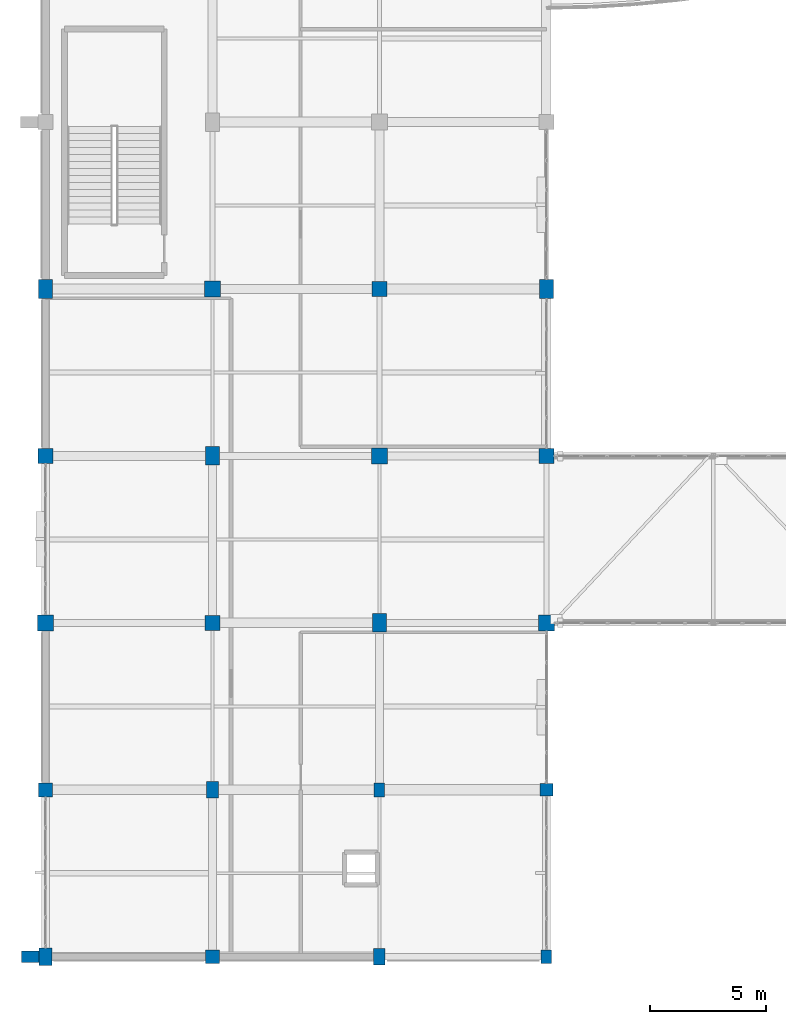
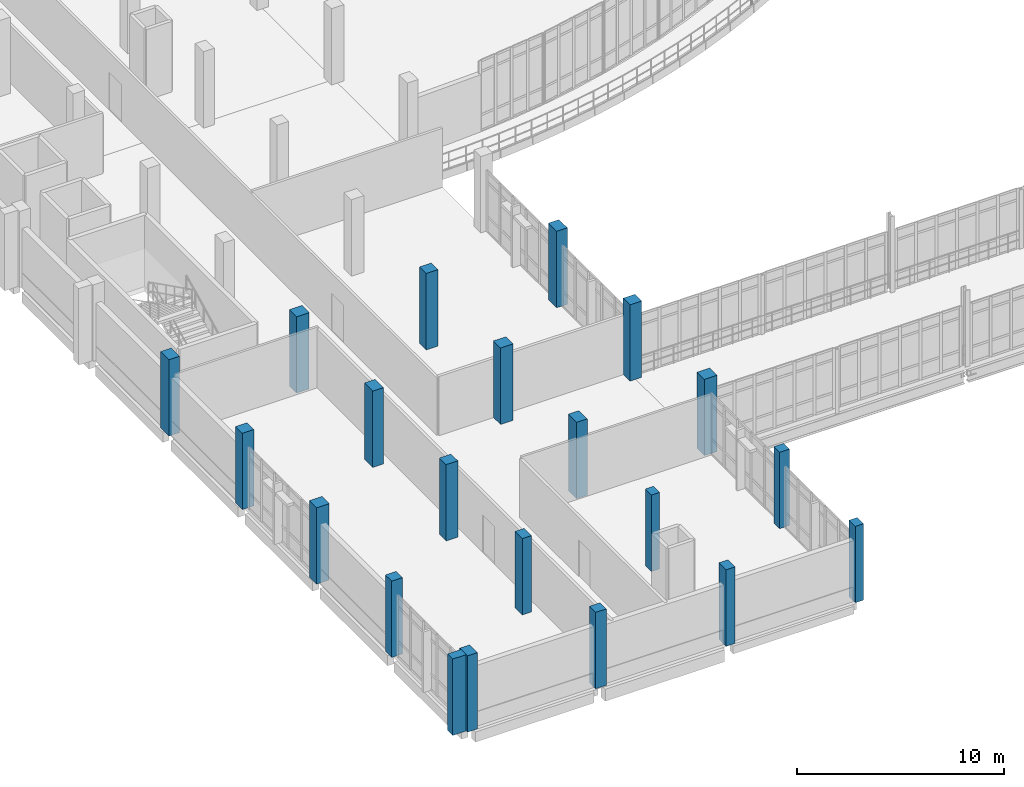
# One storey, part 1 of 116: 21 columns.
"""IFC4 building model written with IfcOpenShell, lengths in metres."""

from ifc_helpers import new_model, si_unit, direction, frame, origin, origin_2d, place, context, subcontext, project, spatial, rectangle, extrude, material, material_profile, profile_set, type_object, element, save


model = new_model("IFC4")

# Units and contexts
model_context = context("Model", 3, precision=1e-05, world=origin(), true_north=direction((0.0, 1.0)))
body_context = subcontext(model_context, "Body", "Model", "MODEL_VIEW")
ifc_project = project(units=[si_unit("LENGTHUNIT", "METRE"), si_unit("AREAUNIT", "SQUARE_METRE"), si_unit("VOLUMEUNIT", "CUBIC_METRE"), si_unit("PLANEANGLEUNIT", "RADIAN"), si_unit("MASSUNIT", "GRAM", prefix="KILO")], contexts=[model_context])

# Site, building, storey
site_placement = place(None, origin())
site = spatial("IfcSite", under=ifc_project, at=site_placement, CompositionType="ELEMENT")
building_placement = place(site_placement, origin())
building = spatial("IfcBuilding", under=site, at=building_placement, Name="Kalluvel Institute of Natural Sciences", CompositionType="ELEMENT")
storey_placement = place(building_placement, frame((0.0, 0.0, 14.39990234375)))
storey = spatial("IfcBuildingStorey", under=building, at=storey_placement, Name="L03", CompositionType="ELEMENT", Elevation=14.39990234375)

# Columns
ifc_material_1 = material(Name="Concrete M40", Category="concrete")
ifc_material_profile_1 = material_profile(ifc_material_1, rectangle(XDim=0.449951171875, YDim=0.60009765625, at=origin_2d()), Name="RC 450x600")
ifc_profile_set_1 = profile_set([ifc_material_profile_1], Name="Concrete M40")
column_type_1 = type_object("IfcColumnType", Name="COL-RC450x600", PredefinedType="COLUMN", material=ifc_profile_set_1)
for number, where, z_axis, x_axis, name in (
    (1, (28.39990234375, 21.199951171875, 0.0), (0.0, 0.0, 1.0), (1.0, 0.0, 0.0), "L03 structural column COL-L03-X284-Y212"),
    (2, (35.60009765625, 14.0, 0.0), (0.0, 0.0, 1.0), (1.0, 0.0, 0.0), "L03 structural column COL-L03-X356-Y140"),
):
    element("IfcColumn", number, at=place(storey_placement, frame(where, z_axis=z_axis, x_axis=x_axis)), inside=storey, type_object=column_type_1, Name=name, PredefinedType="COLUMN", context=body_context, shape_type="SweptSolid", body=[
        extrude(rectangle(XDim=0.449951171875, YDim=0.60009765625, at=origin_2d()), origin(), (0.0, 0.0, 1.0), 4.5),
    ])
ifc_material_profile_2 = material_profile(ifc_material_1, rectangle(XDim=0.5, YDim=0.699951171875, at=origin_2d()), Name="RC 500x700")
ifc_profile_set_2 = profile_set([ifc_material_profile_2], Name="Concrete M40")
column_type_2 = type_object("IfcColumnType", Name="COL-RC500x700", PredefinedType="COLUMN", material=ifc_profile_set_2)
for number, where, z_axis, x_axis, name in (
    (3, (21.199951171875, 21.199951171875, 0.0), (0.0, 0.0, 1.0), (1.0, 0.0, 0.0), "L03 structural column COL-L03-X212-Y212"),
    (4, (28.39990234375, 14.0, 0.0), (0.0, 0.0, 1.0), (1.0, 0.0, 0.0), "L03 structural column COL-L03-X284-Y140"),
):
    element("IfcColumn", number, at=place(storey_placement, frame(where, z_axis=z_axis, x_axis=x_axis)), inside=storey, type_object=column_type_2, Name=name, PredefinedType="COLUMN", context=body_context, shape_type="SweptSolid", body=[
        extrude(rectangle(XDim=0.5, YDim=0.699951171875, at=origin_2d()), origin(), (0.0, 0.0, 1.0), 4.5),
    ])
ifc_material_profile_3 = material_profile(ifc_material_1, rectangle(XDim=0.550048828125, YDim=0.550048828125, at=origin_2d()), Name="RC 550x550")
ifc_profile_set_3 = profile_set([ifc_material_profile_3], Name="Concrete M40")
column_type_3 = type_object("IfcColumnType", Name="COL-RC550", PredefinedType="COLUMN", material=ifc_profile_set_3)
column_1_placement = place(storey_placement, frame((35.60009765625, 21.199951171875, 0.0), z_axis=(0.0, 0.0, 1.0), x_axis=(1.0, 0.0, 0.0)))
element("IfcColumn", 5, at=column_1_placement, inside=storey, type_object=column_type_3, Name="L03 structural column COL-L03-X356-Y212", PredefinedType="COLUMN", context=body_context, shape_type="SweptSolid", body=[
    extrude(rectangle(XDim=0.550048828125, YDim=0.550048828125, at=origin_2d()), origin(), (0.0, 0.0, 1.0), 4.5),
])
ifc_material_profile_4 = material_profile(ifc_material_1, rectangle(XDim=0.550048828125, YDim=0.75, at=origin_2d()), Name="RC 550x750")
ifc_profile_set_4 = profile_set([ifc_material_profile_4], Name="Concrete M40")
column_type_4 = type_object("IfcColumnType", Name="COL-RC550x750", PredefinedType="COLUMN", material=ifc_profile_set_4)
column_2_placement = place(storey_placement, frame((14.0, 14.0, 0.0), z_axis=(0.0, 0.0, 1.0), x_axis=(1.0, 0.0, 0.0)))
element("IfcColumn", 6, at=column_2_placement, inside=storey, type_object=column_type_4, Name="L03 structural column COL-L03-X140-Y140", PredefinedType="COLUMN", context=body_context, shape_type="SweptSolid", body=[
    extrude(rectangle(XDim=0.550048828125, YDim=0.75, at=origin_2d()), origin(), (0.0, 0.0, 1.0), 4.5),
])
ifc_material_profile_5 = material_profile(ifc_material_1, rectangle(XDim=0.60009765625, YDim=0.60009765625, at=origin_2d()), Name="RC 600x600")
ifc_profile_set_5 = profile_set([ifc_material_profile_5], Name="Concrete M40")
column_type_5 = type_object("IfcColumnType", Name="COL-RC600", PredefinedType="COLUMN", material=ifc_profile_set_5)
for number, where, z_axis, x_axis, name in (
    (7, (14.0, 21.199951171875, 0.0), (0.0, 0.0, 1.0), (1.0, 0.0, 0.0), "L03 structural column COL-L03-X140-Y212"),
    (8, (21.199951171875, 14.0, 0.0), (0.0, 0.0, 1.0), (1.0, 0.0, 0.0), "L03 structural column COL-L03-X212-Y140"),
):
    element("IfcColumn", number, at=place(storey_placement, frame(where, z_axis=z_axis, x_axis=x_axis)), inside=storey, type_object=column_type_5, Name=name, PredefinedType="COLUMN", context=body_context, shape_type="SweptSolid", body=[
        extrude(rectangle(XDim=0.60009765625, YDim=0.60009765625, at=origin_2d()), origin(), (0.0, 0.0, 1.0), 4.5),
    ])
ifc_material_2 = material(Name="Concrete M50", Category="concrete")
ifc_material_profile_6 = material_profile(ifc_material_2, rectangle(XDim=0.60009765625, YDim=0.800048828125, at=origin_2d()), Name="RC 600x800")
ifc_profile_set_6 = profile_set([ifc_material_profile_6], Name="Concrete M50")
column_type_6 = type_object("IfcColumnType", Name="COL-RC600x800", PredefinedType="COLUMN", material=ifc_profile_set_6)
for number, where, z_axis, x_axis, name in (
    (9, (14.0, 42.800048828125, 0.0), (0.0, 0.0, 1.0), (1.0, 0.0, 0.0), "L03 structural column COL-L03-X140-Y428"),
    (10, (21.199951171875, 35.60009765625, 0.0), (0.0, 0.0, 1.0), (1.0, 0.0, 0.0), "L03 structural column COL-L03-X212-Y356"),
    (11, (28.39990234375, 28.39990234375, 0.0), (0.0, 0.0, 1.0), (1.0, 0.0, 0.0), "L03 structural column COL-L03-X284-Y284"),
    (12, (35.60009765625, 42.800048828125, 0.0), (0.0, 0.0, 1.0), (1.0, 0.0, 0.0), "L03 structural column COL-L03-X356-Y428"),
):
    element("IfcColumn", number, at=place(storey_placement, frame(where, z_axis=z_axis, x_axis=x_axis)), inside=storey, type_object=column_type_6, Name=name, PredefinedType="COLUMN", context=body_context, shape_type="SweptSolid", body=[
        extrude(rectangle(XDim=0.60009765625, YDim=0.800048828125, at=origin_2d()), origin(), (0.0, 0.0, 1.0), 4.5),
    ])
ifc_material_profile_7 = material_profile(ifc_material_1, rectangle(XDim=0.64990234375, YDim=0.64990234375, at=origin_2d()), Name="RC 650x650")
ifc_profile_set_7 = profile_set([ifc_material_profile_7], Name="Concrete M40")
column_type_7 = type_object("IfcColumnType", Name="COL-RC650", PredefinedType="COLUMN", material=ifc_profile_set_7)
for number, where, z_axis, x_axis, name in (
    (13, (14.0, 35.60009765625, 0.0), (0.0, 0.0, 1.0), (1.0, 0.0, 0.0), "L03 structural column COL-L03-X140-Y356"),
    (14, (21.199951171875, 28.39990234375, 0.0), (0.0, 0.0, 1.0), (1.0, 0.0, 0.0), "L03 structural column COL-L03-X212-Y284"),
    (15, (28.39990234375, 42.800048828125, 0.0), (0.0, 0.0, 1.0), (1.0, 0.0, 0.0), "L03 structural column COL-L03-X284-Y428"),
    (16, (35.60009765625, 35.60009765625, 0.0), (0.0, 0.0, 1.0), (1.0, 0.0, 0.0), "L03 structural column COL-L03-X356-Y356"),
):
    element("IfcColumn", number, at=place(storey_placement, frame(where, z_axis=z_axis, x_axis=x_axis)), inside=storey, type_object=column_type_7, Name=name, PredefinedType="COLUMN", context=body_context, shape_type="SweptSolid", body=[
        extrude(rectangle(XDim=0.64990234375, YDim=0.64990234375, at=origin_2d()), origin(), (0.0, 0.0, 1.0), 4.5),
    ])
ifc_material_profile_8 = material_profile(ifc_material_1, rectangle(XDim=0.699951171875, YDim=0.699951171875, at=origin_2d()), Name="RC 700x700")
ifc_profile_set_8 = profile_set([ifc_material_profile_8], Name="Concrete M40")
column_type_8 = type_object("IfcColumnType", Name="COL-RC700", PredefinedType="COLUMN", material=ifc_profile_set_8)
for number, where, z_axis, x_axis, name in (
    (17, (14.0, 28.39990234375, 0.0), (0.0, 0.0, 1.0), (1.0, 0.0, 0.0), "L03 structural column COL-L03-X140-Y284"),
    (18, (21.199951171875, 42.800048828125, 0.0), (0.0, 0.0, 1.0), (1.0, 0.0, 0.0), "L03 structural column COL-L03-X212-Y428"),
    (19, (28.39990234375, 35.60009765625, 0.0), (0.0, 0.0, 1.0), (1.0, 0.0, 0.0), "L03 structural column COL-L03-X284-Y356"),
    (20, (35.60009765625, 28.39990234375, 0.0), (0.0, 0.0, 1.0), (1.0, 0.0, 0.0), "L03 structural column COL-L03-X356-Y284"),
):
    element("IfcColumn", number, at=place(storey_placement, frame(where, z_axis=z_axis, x_axis=x_axis)), inside=storey, type_object=column_type_8, Name=name, PredefinedType="COLUMN", context=body_context, shape_type="SweptSolid", body=[
        extrude(rectangle(XDim=0.699951171875, YDim=0.699951171875, at=origin_2d()), origin(), (0.0, 0.0, 1.0), 4.5),
    ])
ifc_material_3 = material(Name="Sadarahalli Granite Precast Concrete M45", Category="masonry")
ifc_material_profile_9 = material_profile(ifc_material_3, rectangle(XDim=0.5, YDim=0.75, at=origin_2d()), Name="PIL 500x750")
ifc_profile_set_9 = profile_set([ifc_material_profile_9], Name="Sadarahalli Granite Precast Concrete M45")
column_type_9 = type_object("IfcColumnType", Name="PIL-500x750", PredefinedType="PILASTER", material=ifc_profile_set_9)
column_3_placement = place(storey_placement, frame((13.346923828125, 14.0, 0.0), z_axis=(0.0, 0.0, 1.0), x_axis=(0.0, 1.0, 0.0)))
element("IfcColumn", 21, at=column_3_placement, inside=storey, type_object=column_type_9, Name="L03 Gothic stepped Sadarahalli granite buttress 75", PredefinedType="PILASTER", context=body_context, shape_type="SweptSolid", body=[
    extrude(rectangle(XDim=0.5, YDim=0.75, at=origin_2d()), origin(), (0.0, 0.0, 1.0), 4.5),
])

save(model, "model.ifc")
